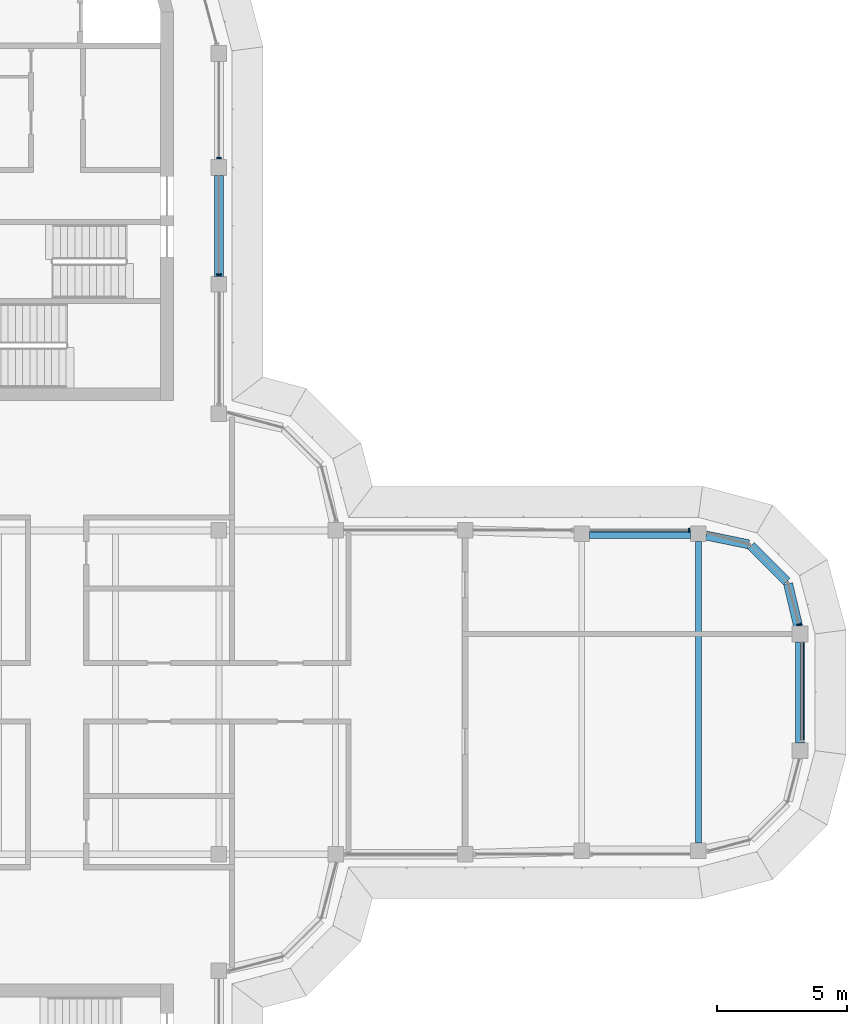
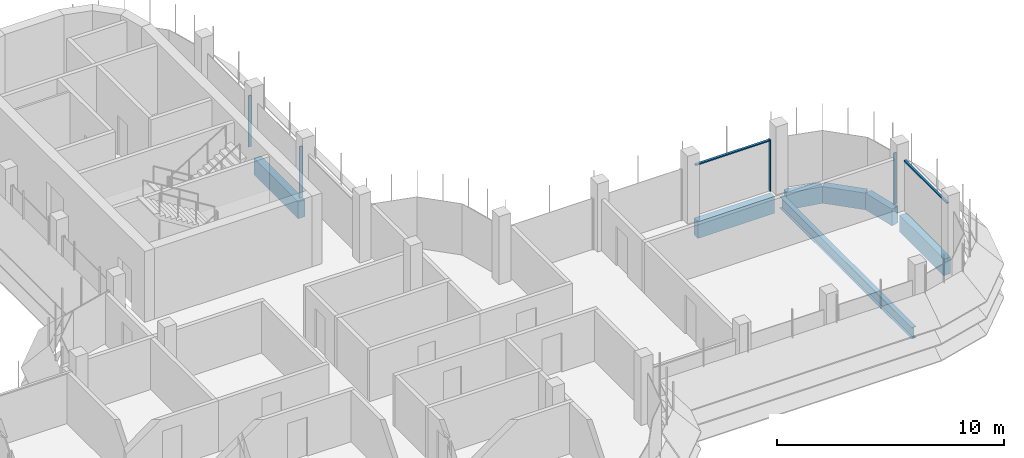
# One storey, part 9 of 19: 7 beams, 6 members, 4 elements without a shape of their own.
"""IFC4 building model written with IfcOpenShell, lengths in metres."""

from ifc_helpers import new_model, si_unit, direction, frame, origin, origin_2d, place, context, subcontext, project, spatial, polyline, rectangle, i_section, outline, extrude, source, transform, mapped, material, material_profile, profile_set, type_object, element, aggregate, save


model = new_model("IFC4")

# Units and contexts
model_context = context("Model", 3, precision=1e-05, world=origin(), true_north=direction((0.0, 1.0)))
body_context = subcontext(model_context, "Body", "Model", "MODEL_VIEW")
ifc_project = project(units=[si_unit("LENGTHUNIT", "METRE"), si_unit("AREAUNIT", "SQUARE_METRE"), si_unit("VOLUMEUNIT", "CUBIC_METRE"), si_unit("PLANEANGLEUNIT", "RADIAN"), si_unit("MASSUNIT", "GRAM", prefix="KILO")], contexts=[model_context])

# Site, building, storey
site_placement = place(None, origin())
site = spatial("IfcSite", under=ifc_project, at=site_placement, CompositionType="ELEMENT")
building_placement = place(site_placement, origin())
building = spatial("IfcBuilding", under=site, at=building_placement, Name="Zarbagh Exchange Tower", CompositionType="ELEMENT")
storey_placement = place(building_placement, frame((0.0, 0.0, 268.800048828125)))
storey = spatial("IfcBuildingStorey", under=building, at=storey_placement, Name="L66", CompositionType="ELEMENT", Elevation=268.800048828125)

# Beams
ifc_material_1 = material(Name="Steel ASTM A992 Gr 50", Category="steel")
ifc_material_profile_1 = material_profile(ifc_material_1, i_section(OverallWidth=0.228271484375, OverallDepth=0.607177734375, WebThickness=0.01123046875, FlangeThickness=0.017333984375, at=origin_2d()), Name="W24X76")
ifc_profile_set_1 = profile_set([ifc_material_profile_1], Name="Steel ASTM A992 Gr 50")
beam_type_1 = type_object("IfcBeamType", Name="Floor beam W24X76", PredefinedType="BEAM", material=ifc_profile_set_1)
beam_1_placement = place(storey_placement, frame((24.75, -5.81005859375, -0.45361328125), z_axis=(0.0, 1.0, 0.0), x_axis=(-1.0, 0.0, 0.0)))
element("IfcBeam", 1, at=beam_1_placement, inside=storey, type_object=beam_type_1, Name="Steel floor beam", PredefinedType="BEAM", context=body_context, shape_type="SweptSolid", body=[
    extrude(i_section(OverallWidth=0.228271484375, OverallDepth=0.607177734375, WebThickness=0.01123046875, FlangeThickness=0.017333984375, at=origin_2d()), origin(), (0.0, 0.0, 1.0), 11.6201171875),
])
ifc_material_2 = material(Name="Concrete C40/50", Category="concrete")
ifc_material_profile_2 = material_profile(ifc_material_2, rectangle(XDim=0.35009765625, YDim=0.89990234375, at=origin_2d()), Name="RC spandrel beam 350 x 900 C40/50")
ifc_profile_set_2 = profile_set([ifc_material_profile_2], Name="Concrete C40/50")
beam_type_2 = type_object("IfcBeamType", Name="RC spandrel beam 350 x 900 C40/50", PredefinedType="SPANDREL", material=ifc_profile_set_2)
for number, where, z_axis, x_axis, name in (
    (2, (6.25, 19.949951171875, -0.60009765625), (0.0, -1.0, 0.0), (1.0, 0.0, 0.0), "RC spandrel beam"),
    (3, (20.550048828125, 6.110107421875, -0.60009765625), (1.0, 0.0, 0.0), (0.0, 1.0, 0.0), "RC spandrel beam"),
):
    element("IfcBeam", number, at=place(storey_placement, frame(where, z_axis=z_axis, x_axis=x_axis)), inside=storey, type_object=beam_type_2, Name=name, PredefinedType="SPANDREL", context=body_context, shape_type="SweptSolid", body=[
        extrude(rectangle(XDim=0.35009765625, YDim=0.89990234375, at=origin_2d()), origin(), (0.0, 0.0, 1.0), 3.89990234375),
    ])
beam_2_placement = place(storey_placement, frame((25.043701171875, 6.04931640625, -0.60009765625), z_axis=(0.979349753205, -0.202173343684, 0.0), x_axis=(0.202173343684, 0.979349753205, 0.0)))
element("IfcBeam", 4, at=beam_2_placement, inside=storey, type_object=beam_type_2, Name="RC spandrel beam", PredefinedType="SPANDREL", context=body_context, shape_type="SweptSolid", body=[
    extrude(rectangle(XDim=0.35009765625, YDim=0.89990234375, at=origin_2d()), origin(), (0.0, 0.0, 1.0), 1.680908203125),
])
beam_3_placement = place(storey_placement, frame((26.7783203125, 5.661865234375, -0.60009765625), z_axis=(0.707106781187, -0.707106781187, 0.0), x_axis=(0.707106781187, 0.707106781187, 0.0)))
element("IfcBeam", 5, at=beam_3_placement, inside=storey, type_object=beam_type_2, Name="RC spandrel beam", PredefinedType="SPANDREL", context=body_context, shape_type="SweptSolid", body=[
    extrude(rectangle(XDim=0.35009765625, YDim=0.89990234375, at=origin_2d()), origin(), (0.0, 0.0, 1.0), 1.95947265625),
])
beam_4_placement = place(storey_placement, frame((28.210205078125, 4.19287109375, -0.60009765625), z_axis=(0.230258391117, -0.973129525459, 0.0), x_axis=(0.973129525459, 0.230258391117, 0.0)))
element("IfcBeam", 6, at=beam_4_placement, inside=storey, type_object=beam_type_2, Name="RC spandrel beam", PredefinedType="SPANDREL", context=body_context, shape_type="SweptSolid", body=[
    extrude(rectangle(XDim=0.35009765625, YDim=0.89990234375, at=origin_2d()), origin(), (0.0, 0.0, 1.0), 1.696533203125),
])
beam_5_placement = place(storey_placement, frame((28.669921875, 1.949951171875, -0.60009765625), z_axis=(0.0, -1.0, 0.0), x_axis=(1.0, 0.0, 0.0)))
element("IfcBeam", 7, at=beam_5_placement, inside=storey, type_object=beam_type_2, Name="RC spandrel beam", PredefinedType="SPANDREL", context=body_context, shape_type="SweptSolid", body=[
    extrude(rectangle(XDim=0.35009765625, YDim=0.89990234375, at=origin_2d()), origin(), (0.0, 0.0, 1.0), 3.89990234375),
])

# Curtain wall, member
ifc_material_3 = material(Name="Anodised aluminium frame and glazing", Category="aluminium")
curtain_wall_type = type_object("IfcCurtainWallType", Name="CWB Ribbon glazing, upper zones", PredefinedType="NOTDEFINED", material=ifc_material_3)
curtain_wall_1_placement = place(storey_placement, origin())
curtain_wall_1 = element("IfcCurtainWall", 8, at=curtain_wall_1_placement, inside=storey, type_object=curtain_wall_type, Name="CWB79 curtain wall", PredefinedType="NOTDEFINED")
ifc_material_4 = material(Name="Anodised aluminium frame", Category="aluminium")
member_type_1 = type_object("IfcMemberType", Name="MUB Mullion, anodised aluminium frame", PredefinedType="MULLION", material=ifc_material_4)
shared_shape_1 = source(origin(), body_context, "Body", "SweptSolid", [
    extrude(outline(polyline([(0.0, -0.080078125), (0.06005859375, -0.080078125), (0.06005859375, 0.080078125), (0.0, 0.080078125), (0.0, -0.080078125)])), origin(), (0.0, 0.0, 1.0), 2.75),
])
placement = place(storey_placement, origin())
member_1 = element("IfcMember", 9, at=placement, type_object=member_type_1, Name="CWB79 mullion 1.1", PredefinedType="MULLION", context=body_context, shape_type="MappedRepresentation", body=[
    mapped(shared_shape_1, transform((28.641357421875, 2.58984375, 0.0), x_axis=(-0.258824779902, 0.965924289636, 0.0), y_axis=(-0.965924289636, -0.258824779902, 0.0), z_axis=(0.0, 0.0, 1.0))),
])
aggregate(curtain_wall_1, [member_1])

curtain_wall_2_placement = place(storey_placement, origin())
curtain_wall_2 = element("IfcCurtainWall", 10, at=curtain_wall_2_placement, inside=storey, type_object=curtain_wall_type, Name="CWB82 curtain wall", PredefinedType="NOTDEFINED")
member_2 = element("IfcMember", 11, at=placement, type_object=member_type_1, Name="CWB82 mullion 1.1", PredefinedType="MULLION", context=body_context, shape_type="MappedRepresentation", body=[
    mapped(shared_shape_1, transform((24.409912109375, 6.25, 0.0), x_axis=(-1.0, 0.0, 0.0), y_axis=(0.0, -1.0, 0.0), z_axis=(0.0, 0.0, 1.0))),
])

# Curtain wall, members
curtain_wall_3_placement = place(storey_placement, origin())
curtain_wall_3 = element("IfcCurtainWall", 12, at=curtain_wall_3_placement, inside=storey, type_object=curtain_wall_type, Name="CWB67 curtain wall", PredefinedType="NOTDEFINED")
member_3 = element("IfcMember", 13, at=placement, type_object=member_type_1, Name="CWB67 mullion 2.1", PredefinedType="MULLION", context=body_context, shape_type="MappedRepresentation", body=[
    mapped(shared_shape_1, transform((6.25, 16.090087890625, 0.0), x_axis=(0.0, 1.0, 0.0), y_axis=(-1.0, 0.0, 0.0), z_axis=(0.0, 0.0, 1.0))),
])
member_4 = element("IfcMember", 14, at=placement, type_object=member_type_1, Name="CWB67 mullion 3.1", PredefinedType="MULLION", context=body_context, shape_type="MappedRepresentation", body=[
    mapped(shared_shape_1, transform((6.25, 20.590087890625, 0.0), x_axis=(0.0, 1.0, 0.0), y_axis=(-1.0, 0.0, 0.0), z_axis=(0.0, 0.0, 1.0))),
])
aggregate(curtain_wall_3, [member_3, member_4])

# Curtain wall, member
curtain_wall_4_placement = place(storey_placement, origin())
curtain_wall_4 = element("IfcCurtainWall", 15, at=curtain_wall_4_placement, inside=storey, type_object=curtain_wall_type, Name="CWB83 curtain wall", PredefinedType="NOTDEFINED")
member_type_2 = type_object("IfcMemberType", Name="TRB Transom, anodised aluminium frame", PredefinedType="USERDEFINED", material=ifc_material_4)
shared_shape_2 = source(origin(), body_context, "Body", "SweptSolid", [
    extrude(outline(polyline([(-0.06005859375, -0.06005859375), (0.0, -0.06005859375), (0.0, 0.06005859375), (-0.06005859375, 0.06005859375), (-0.06005859375, -0.06005859375)])), origin(), (0.0, 0.0, 1.0), 3.760009765625),
])
member_5 = element("IfcMember", 16, at=placement, type_object=member_type_2, Name="CWB83 transom 1.1", ObjectType="TRANSOM", PredefinedType="USERDEFINED", context=body_context, shape_type="MappedRepresentation", body=[
    mapped(shared_shape_2, transform((28.75, -1.849853515625, 2.75), x_axis=(0.0, 0.0, 1.0), y_axis=(1.0, 0.0, 0.0), z_axis=(0.0, 1.0, 0.0))),
])
aggregate(curtain_wall_4, [member_5])

# Member
member_6 = element("IfcMember", 17, at=placement, type_object=member_type_2, Name="CWB82 transom 1.1", ObjectType="TRANSOM", PredefinedType="USERDEFINED", context=body_context, shape_type="MappedRepresentation", body=[
    mapped(shared_shape_2, transform((24.349853515625, 6.25, 2.75), x_axis=(0.0, 0.0, 1.0), y_axis=(0.0, 1.0, 0.0), z_axis=(-1.0, 0.0, 0.0))),
])

aggregate(curtain_wall_2, [member_2, member_6])

save(model, "model.ifc")
